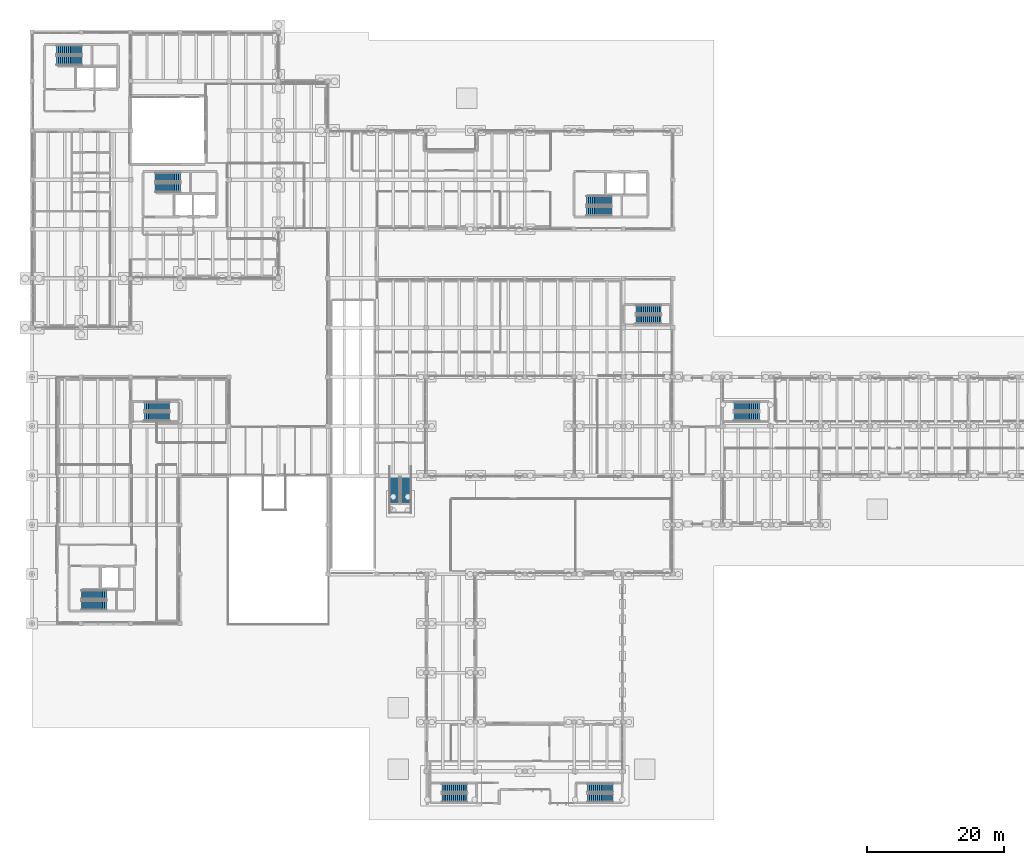
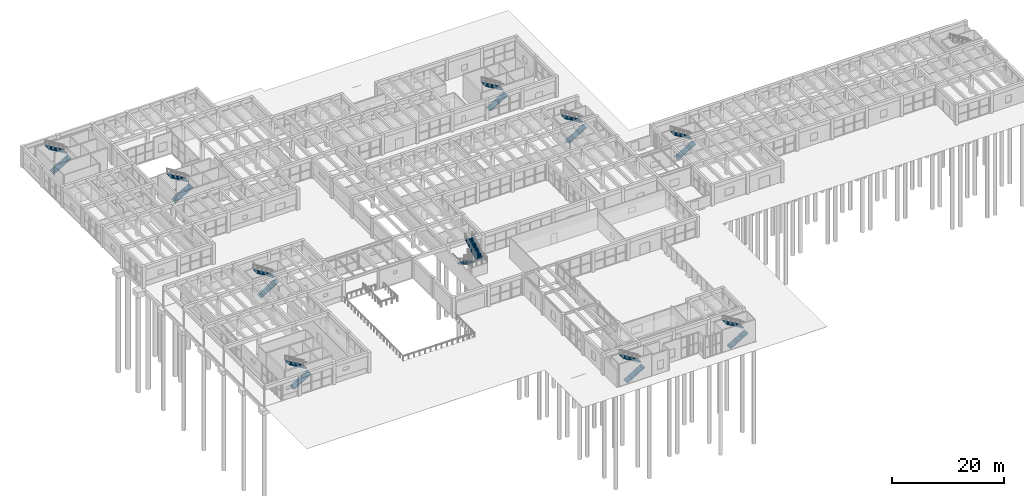
# One storey, part 128 of 155: 20 stair flights, 10 elements without a shape of their own.
"""IFC4 building model written with IfcOpenShell, lengths in metres."""

from ifc_helpers import new_model, si_unit, direction, frame, origin, place, context, subcontext, project, spatial, polyline, outline, extrude, material, type_object, element, aggregate, save


model = new_model("IFC4")

# Units and contexts
model_context = context("Model", 3, precision=1e-05, world=origin(), true_north=direction((0.0, 1.0)))
body_context = subcontext(model_context, "Body", "Model", "MODEL_VIEW")
ifc_project = project(units=[si_unit("LENGTHUNIT", "METRE"), si_unit("AREAUNIT", "SQUARE_METRE"), si_unit("VOLUMEUNIT", "CUBIC_METRE"), si_unit("PLANEANGLEUNIT", "RADIAN"), si_unit("MASSUNIT", "GRAM", prefix="KILO")], contexts=[model_context])

# Site, building, storey
site_placement = place(None, origin())
site = spatial("IfcSite", under=ifc_project, at=site_placement, CompositionType="ELEMENT")
building_placement = place(site_placement, origin())
building = spatial("IfcBuilding", under=site, at=building_placement, Name="Bramvelor Terrace Health Centre", CompositionType="ELEMENT")
storey_placement = place(building_placement, origin())
storey = spatial("IfcBuildingStorey", under=building, at=storey_placement, Name="L01", CompositionType="ELEMENT", Elevation=0.0)

# Stair, stair flights
ifc_material_1 = material(Name="Concrete C40/50", Category="concrete")
stair_type_1 = type_object("IfcStairType", Name="STR-CORE", PredefinedType="HALF_TURN_STAIR", material=ifc_material_1)
stair_1_placement = place(storey_placement, origin())
stair_1 = element("IfcStair", 1, at=stair_1_placement, inside=storey, type_object=stair_type_1, Name="L01 C1 Primary Fire Stair", PredefinedType="HALF_TURN_STAIR")
ifc_material_2 = material(Name="Concrete C40/50", Category="concrete")
stair_flight_type_1 = type_object("IfcStairFlightType", Name="STRF-CORE", PredefinedType="STRAIGHT", material=ifc_material_2)
stair_flight_1_placement = place(storey_placement, frame((3.60009765625, 111.02490234375, 0.0), z_axis=(0.0, 0.0, 1.0), x_axis=(1.0, 0.0, 0.0)))
stair_flight_1 = element("IfcStairFlight", 2, at=stair_flight_1_placement, type_object=stair_flight_type_1, Name="ST-1 flight 1", NumberOfRisers=14, NumberOfTreads=13, PredefinedType="STRAIGHT", RiserHeight=0.171428571, TreadLength=0.285, context=body_context, shape_type="SweptSolid", body=[
    extrude(outline(polyline([(0.0, 0.0), (0.0, 0.17138671875), (0.284912109375, 0.17138671875), (0.284912109375, 0.3427734375), (0.570068359375, 0.3427734375), (0.570068359375, 0.514404296875), (0.85498046875, 0.514404296875), (0.85498046875, 0.685791015625), (1.139892578125, 0.685791015625), (1.139892578125, 0.857177734375), (1.425048828125, 0.857177734375), (1.425048828125, 1.028564453125), (1.7099609375, 1.028564453125), (1.7099609375, 1.199951171875), (1.9951171875, 1.199951171875), (1.9951171875, 1.371337890625), (2.280029296875, 1.371337890625), (2.280029296875, 1.54296875), (2.56494140625, 1.54296875), (2.56494140625, 1.71435546875), (2.85009765625, 1.71435546875), (2.85009765625, 1.8857421875), (3.135009765625, 1.8857421875), (3.135009765625, 2.05712890625), (3.419921875, 2.05712890625), (3.419921875, 2.228515625), (3.705078125, 2.228515625), (3.705078125, 2.39990234375), (3.705078125, 2.0537109375), (0.290771484375, 0.0), (0.0, 0.0)])), frame((0.0, 0.675048828125, 0.0), z_axis=(0.0, -1.0, 0.0), x_axis=(1.0, 0.0, 0.0)), (0.0, 0.0, 1.0), 1.35009765625),
])
stair_flight_2_placement = place(storey_placement, frame((7.304931640625, 112.574951171875, 2.39990234375), z_axis=(0.0, 0.0, 1.0), x_axis=(-1.0, 0.0, 0.0)))
stair_flight_2 = element("IfcStairFlight", 3, at=stair_flight_2_placement, type_object=stair_flight_type_1, Name="ST-1 flight 2", NumberOfRisers=14, NumberOfTreads=13, PredefinedType="STRAIGHT", RiserHeight=0.171428571, TreadLength=0.285, context=body_context, shape_type="SweptSolid", body=[
    extrude(outline(polyline([(0.0, 0.0), (0.0, 0.17138671875), (0.284912109375, 0.17138671875), (0.284912109375, 0.3427734375), (0.570068359375, 0.3427734375), (0.570068359375, 0.514404296875), (0.85498046875, 0.514404296875), (0.85498046875, 0.685791015625), (1.139892578125, 0.685791015625), (1.139892578125, 0.857177734375), (1.425048828125, 0.857177734375), (1.425048828125, 1.028564453125), (1.7099609375, 1.028564453125), (1.7099609375, 1.199951171875), (1.9951171875, 1.199951171875), (1.9951171875, 1.371337890625), (2.280029296875, 1.371337890625), (2.280029296875, 1.54296875), (2.56494140625, 1.54296875), (2.56494140625, 1.71435546875), (2.85009765625, 1.71435546875), (2.85009765625, 1.8857421875), (3.135009765625, 1.8857421875), (3.135009765625, 2.05712890625), (3.419921875, 2.05712890625), (3.419921875, 2.228515625), (3.705078125, 2.228515625), (3.705078125, 2.39990234375), (3.705078125, 2.0537109375), (0.290771484375, 0.0), (0.0, 0.0)])), frame((0.0, 0.675048828125, 0.0), z_axis=(0.0, -1.0, 0.0), x_axis=(1.0, 0.0, 0.0)), (0.0, 0.0, 1.0), 1.35009765625),
])
aggregate(stair_1, [stair_flight_1, stair_flight_2])

stair_2_placement = place(storey_placement, origin())
stair_2 = element("IfcStair", 4, at=stair_2_placement, inside=storey, type_object=stair_type_1, Name="L01 C2 Primary Fire Stair", PredefinedType="HALF_TURN_STAIR")
stair_flight_3_placement = place(storey_placement, frame((18.0, 92.425048828125, 0.0), z_axis=(0.0, 0.0, 1.0), x_axis=(1.0, 0.0, 0.0)))
stair_flight_3 = element("IfcStairFlight", 5, at=stair_flight_3_placement, type_object=stair_flight_type_1, Name="ST-2 flight 1", NumberOfRisers=14, NumberOfTreads=13, PredefinedType="STRAIGHT", RiserHeight=0.171428571, TreadLength=0.285, context=body_context, shape_type="SweptSolid", body=[
    extrude(outline(polyline([(0.0, 0.0), (0.0, 0.17138671875), (0.284912109375, 0.17138671875), (0.284912109375, 0.3427734375), (0.570068359375, 0.3427734375), (0.570068359375, 0.514404296875), (0.85498046875, 0.514404296875), (0.85498046875, 0.685791015625), (1.139892578125, 0.685791015625), (1.139892578125, 0.857177734375), (1.425048828125, 0.857177734375), (1.425048828125, 1.028564453125), (1.7099609375, 1.028564453125), (1.7099609375, 1.199951171875), (1.9951171875, 1.199951171875), (1.9951171875, 1.371337890625), (2.280029296875, 1.371337890625), (2.280029296875, 1.54296875), (2.56494140625, 1.54296875), (2.56494140625, 1.71435546875), (2.85009765625, 1.71435546875), (2.85009765625, 1.8857421875), (3.135009765625, 1.8857421875), (3.135009765625, 2.05712890625), (3.419921875, 2.05712890625), (3.419921875, 2.228515625), (3.705078125, 2.228515625), (3.705078125, 2.39990234375), (3.705078125, 2.0537109375), (0.290771484375, 0.0), (0.0, 0.0)])), frame((0.0, 0.675048828125, 0.0), z_axis=(0.0, -1.0, 0.0), x_axis=(1.0, 0.0, 0.0)), (0.0, 0.0, 1.0), 1.35009765625),
])
stair_flight_4_placement = place(storey_placement, frame((21.705078125, 93.97509765625, 2.39990234375), z_axis=(0.0, 0.0, 1.0), x_axis=(-1.0, 0.0, 0.0)))
stair_flight_4 = element("IfcStairFlight", 6, at=stair_flight_4_placement, type_object=stair_flight_type_1, Name="ST-2 flight 2", NumberOfRisers=14, NumberOfTreads=13, PredefinedType="STRAIGHT", RiserHeight=0.171428571, TreadLength=0.285, context=body_context, shape_type="SweptSolid", body=[
    extrude(outline(polyline([(0.0, 0.0), (0.0, 0.17138671875), (0.284912109375, 0.17138671875), (0.284912109375, 0.3427734375), (0.570068359375, 0.3427734375), (0.570068359375, 0.514404296875), (0.85498046875, 0.514404296875), (0.85498046875, 0.685791015625), (1.139892578125, 0.685791015625), (1.139892578125, 0.857177734375), (1.425048828125, 0.857177734375), (1.425048828125, 1.028564453125), (1.7099609375, 1.028564453125), (1.7099609375, 1.199951171875), (1.9951171875, 1.199951171875), (1.9951171875, 1.371337890625), (2.280029296875, 1.371337890625), (2.280029296875, 1.54296875), (2.56494140625, 1.54296875), (2.56494140625, 1.71435546875), (2.85009765625, 1.71435546875), (2.85009765625, 1.8857421875), (3.135009765625, 1.8857421875), (3.135009765625, 2.05712890625), (3.419921875, 2.05712890625), (3.419921875, 2.228515625), (3.705078125, 2.228515625), (3.705078125, 2.39990234375), (3.705078125, 2.0537109375), (0.290771484375, 0.0), (0.0, 0.0)])), frame((0.0, 0.675048828125, 0.0), z_axis=(0.0, -1.0, 0.0), x_axis=(1.0, 0.0, 0.0)), (0.0, 0.0, 1.0), 1.35009765625),
])
aggregate(stair_2, [stair_flight_3, stair_flight_4])

stair_3_placement = place(storey_placement, origin())
stair_3 = element("IfcStair", 7, at=stair_3_placement, inside=storey, type_object=stair_type_1, Name="L01 C3 Primary Fire Stair", PredefinedType="HALF_TURN_STAIR")
stair_flight_5_placement = place(storey_placement, frame((7.199951171875, 31.425048828125, 0.0), z_axis=(0.0, 0.0, 1.0), x_axis=(1.0, 0.0, 0.0)))
stair_flight_5 = element("IfcStairFlight", 8, at=stair_flight_5_placement, type_object=stair_flight_type_1, Name="ST-3 flight 1", NumberOfRisers=14, NumberOfTreads=13, PredefinedType="STRAIGHT", RiserHeight=0.171428571, TreadLength=0.285, context=body_context, shape_type="SweptSolid", body=[
    extrude(outline(polyline([(0.0, 0.0), (0.0, 0.17138671875), (0.284912109375, 0.17138671875), (0.284912109375, 0.3427734375), (0.570068359375, 0.3427734375), (0.570068359375, 0.514404296875), (0.85498046875, 0.514404296875), (0.85498046875, 0.685791015625), (1.139892578125, 0.685791015625), (1.139892578125, 0.857177734375), (1.425048828125, 0.857177734375), (1.425048828125, 1.028564453125), (1.7099609375, 1.028564453125), (1.7099609375, 1.199951171875), (1.9951171875, 1.199951171875), (1.9951171875, 1.371337890625), (2.280029296875, 1.371337890625), (2.280029296875, 1.54296875), (2.56494140625, 1.54296875), (2.56494140625, 1.71435546875), (2.85009765625, 1.71435546875), (2.85009765625, 1.8857421875), (3.135009765625, 1.8857421875), (3.135009765625, 2.05712890625), (3.419921875, 2.05712890625), (3.419921875, 2.228515625), (3.705078125, 2.228515625), (3.705078125, 2.39990234375), (3.705078125, 2.0537109375), (0.290771484375, 0.0), (0.0, 0.0)])), frame((0.0, 0.675048828125, 0.0), z_axis=(0.0, -1.0, 0.0), x_axis=(1.0, 0.0, 0.0)), (0.0, 0.0, 1.0), 1.35009765625),
])
stair_flight_6_placement = place(storey_placement, frame((10.905029296875, 32.97509765625, 2.39990234375), z_axis=(0.0, 0.0, 1.0), x_axis=(-1.0, 0.0, 0.0)))
stair_flight_6 = element("IfcStairFlight", 9, at=stair_flight_6_placement, type_object=stair_flight_type_1, Name="ST-3 flight 2", NumberOfRisers=14, NumberOfTreads=13, PredefinedType="STRAIGHT", RiserHeight=0.171428571, TreadLength=0.285, context=body_context, shape_type="SweptSolid", body=[
    extrude(outline(polyline([(0.0, 0.0), (0.0, 0.17138671875), (0.284912109375, 0.17138671875), (0.284912109375, 0.3427734375), (0.570068359375, 0.3427734375), (0.570068359375, 0.514404296875), (0.85498046875, 0.514404296875), (0.85498046875, 0.685791015625), (1.139892578125, 0.685791015625), (1.139892578125, 0.857177734375), (1.425048828125, 0.857177734375), (1.425048828125, 1.028564453125), (1.7099609375, 1.028564453125), (1.7099609375, 1.199951171875), (1.9951171875, 1.199951171875), (1.9951171875, 1.371337890625), (2.280029296875, 1.371337890625), (2.280029296875, 1.54296875), (2.56494140625, 1.54296875), (2.56494140625, 1.71435546875), (2.85009765625, 1.71435546875), (2.85009765625, 1.8857421875), (3.135009765625, 1.8857421875), (3.135009765625, 2.05712890625), (3.419921875, 2.05712890625), (3.419921875, 2.228515625), (3.705078125, 2.228515625), (3.705078125, 2.39990234375), (3.705078125, 2.0537109375), (0.290771484375, 0.0), (0.0, 0.0)])), frame((0.0, 0.675048828125, 0.0), z_axis=(0.0, -1.0, 0.0), x_axis=(1.0, 0.0, 0.0)), (0.0, 0.0, 1.0), 1.35009765625),
])
aggregate(stair_3, [stair_flight_5, stair_flight_6])

stair_4_placement = place(storey_placement, origin())
stair_4 = element("IfcStair", 10, at=stair_4_placement, inside=storey, type_object=stair_type_1, Name="L01 C4 Primary Fire Stair", PredefinedType="HALF_TURN_STAIR")
stair_flight_7_placement = place(storey_placement, frame((81.0, 89.02490234375, 0.0), z_axis=(0.0, 0.0, 1.0), x_axis=(1.0, 0.0, 0.0)))
stair_flight_7 = element("IfcStairFlight", 11, at=stair_flight_7_placement, type_object=stair_flight_type_1, Name="ST-4 flight 1", NumberOfRisers=14, NumberOfTreads=13, PredefinedType="STRAIGHT", RiserHeight=0.171428571, TreadLength=0.285, context=body_context, shape_type="SweptSolid", body=[
    extrude(outline(polyline([(0.0, 0.0), (0.0, 0.17138671875), (0.284912109375, 0.17138671875), (0.284912109375, 0.3427734375), (0.570068359375, 0.3427734375), (0.570068359375, 0.514404296875), (0.85498046875, 0.514404296875), (0.85498046875, 0.685791015625), (1.139892578125, 0.685791015625), (1.139892578125, 0.857177734375), (1.425048828125, 0.857177734375), (1.425048828125, 1.028564453125), (1.7099609375, 1.028564453125), (1.7099609375, 1.199951171875), (1.9951171875, 1.199951171875), (1.9951171875, 1.371337890625), (2.280029296875, 1.371337890625), (2.280029296875, 1.54296875), (2.56494140625, 1.54296875), (2.56494140625, 1.71435546875), (2.85009765625, 1.71435546875), (2.85009765625, 1.8857421875), (3.135009765625, 1.8857421875), (3.135009765625, 2.05712890625), (3.419921875, 2.05712890625), (3.419921875, 2.228515625), (3.705078125, 2.228515625), (3.705078125, 2.39990234375), (3.705078125, 2.0537109375), (0.290771484375, 0.0), (0.0, 0.0)])), frame((0.0, 0.675048828125, 0.0), z_axis=(0.0, -1.0, 0.0), x_axis=(1.0, 0.0, 0.0)), (0.0, 0.0, 1.0), 1.35009765625),
])
stair_flight_8_placement = place(storey_placement, frame((84.705078125, 90.574951171875, 2.39990234375), z_axis=(0.0, 0.0, 1.0), x_axis=(-1.0, 0.0, 0.0)))
stair_flight_8 = element("IfcStairFlight", 12, at=stair_flight_8_placement, type_object=stair_flight_type_1, Name="ST-4 flight 2", NumberOfRisers=14, NumberOfTreads=13, PredefinedType="STRAIGHT", RiserHeight=0.171428571, TreadLength=0.285, context=body_context, shape_type="SweptSolid", body=[
    extrude(outline(polyline([(0.0, 0.0), (0.0, 0.17138671875), (0.284912109375, 0.17138671875), (0.284912109375, 0.3427734375), (0.570068359375, 0.3427734375), (0.570068359375, 0.514404296875), (0.85498046875, 0.514404296875), (0.85498046875, 0.685791015625), (1.139892578125, 0.685791015625), (1.139892578125, 0.857177734375), (1.425048828125, 0.857177734375), (1.425048828125, 1.028564453125), (1.7099609375, 1.028564453125), (1.7099609375, 1.199951171875), (1.9951171875, 1.199951171875), (1.9951171875, 1.371337890625), (2.280029296875, 1.371337890625), (2.280029296875, 1.54296875), (2.56494140625, 1.54296875), (2.56494140625, 1.71435546875), (2.85009765625, 1.71435546875), (2.85009765625, 1.8857421875), (3.135009765625, 1.8857421875), (3.135009765625, 2.05712890625), (3.419921875, 2.05712890625), (3.419921875, 2.228515625), (3.705078125, 2.228515625), (3.705078125, 2.39990234375), (3.705078125, 2.0537109375), (0.290771484375, 0.0), (0.0, 0.0)])), frame((0.0, 0.675048828125, 0.0), z_axis=(0.0, -1.0, 0.0), x_axis=(1.0, 0.0, 0.0)), (0.0, 0.0, 1.0), 1.35009765625),
])
aggregate(stair_4, [stair_flight_7, stair_flight_8])

ifc_material_3 = material(Name="Concrete C40/50", Category="concrete")
stair_type_2 = type_object("IfcStairType", Name="STR-FEAT", PredefinedType="HALF_TURN_STAIR", material=ifc_material_3)
stair_5_placement = place(storey_placement, origin())
stair_5 = element("IfcStair", 13, at=stair_5_placement, inside=storey, type_object=stair_type_2, Name="L01 Waiting Hall Feature Stair", PredefinedType="HALF_TURN_STAIR")
ifc_material_4 = material(Name="Concrete C40/50", Category="concrete")
stair_flight_type_2 = type_object("IfcStairFlightType", Name="STRF-FEAT", PredefinedType="STRAIGHT", material=ifc_material_4)
stair_flight_9_placement = place(storey_placement, frame((52.949951171875, 50.199951171875, 0.0), z_axis=(0.0, 0.0, 1.0), x_axis=(0.0, -1.0, 0.0)))
stair_flight_9 = element("IfcStairFlight", 14, at=stair_flight_9_placement, type_object=stair_flight_type_2, Name="ST-11 flight 1", NumberOfRisers=14, NumberOfTreads=13, PredefinedType="STRAIGHT", RiserHeight=0.171428571, TreadLength=0.29, context=body_context, shape_type="SweptSolid", body=[
    extrude(outline(polyline([(0.0, 0.0), (0.0, 0.17138671875), (0.2900390625, 0.17138671875), (0.2900390625, 0.3427734375), (0.580078125, 0.3427734375), (0.580078125, 0.514404296875), (0.8701171875, 0.514404296875), (0.8701171875, 0.685791015625), (1.159912109375, 0.685791015625), (1.159912109375, 0.857177734375), (1.449951171875, 0.857177734375), (1.449951171875, 1.028564453125), (1.739990234375, 1.028564453125), (1.739990234375, 1.199951171875), (2.030029296875, 1.199951171875), (2.030029296875, 1.371337890625), (2.320068359375, 1.371337890625), (2.320068359375, 1.54296875), (2.610107421875, 1.54296875), (2.610107421875, 1.71435546875), (2.89990234375, 1.71435546875), (2.89990234375, 1.8857421875), (3.18994140625, 1.8857421875), (3.18994140625, 2.05712890625), (3.47998046875, 2.05712890625), (3.47998046875, 2.228515625), (3.77001953125, 2.228515625), (3.77001953125, 2.39990234375), (3.77001953125, 2.054443359375), (0.294677734375, 0.0), (0.0, 0.0)])), frame((0.0, 0.75, 0.0), z_axis=(0.0, -1.0, 0.0), x_axis=(1.0, 0.0, 0.0)), (0.0, 0.0, 1.0), 1.5),
])
stair_flight_10_placement = place(storey_placement, frame((54.64990234375, 46.429931640625, 2.39990234375), z_axis=(0.0, 0.0, 1.0), x_axis=(0.0, 1.0, 0.0)))
stair_flight_10 = element("IfcStairFlight", 15, at=stair_flight_10_placement, type_object=stair_flight_type_2, Name="ST-11 flight 2", NumberOfRisers=14, NumberOfTreads=13, PredefinedType="STRAIGHT", RiserHeight=0.171428571, TreadLength=0.29, context=body_context, shape_type="SweptSolid", body=[
    extrude(outline(polyline([(0.0, 0.0), (0.0, 0.17138671875), (0.2900390625, 0.17138671875), (0.2900390625, 0.3427734375), (0.580078125, 0.3427734375), (0.580078125, 0.514404296875), (0.8701171875, 0.514404296875), (0.8701171875, 0.685791015625), (1.159912109375, 0.685791015625), (1.159912109375, 0.857177734375), (1.449951171875, 0.857177734375), (1.449951171875, 1.028564453125), (1.739990234375, 1.028564453125), (1.739990234375, 1.199951171875), (2.030029296875, 1.199951171875), (2.030029296875, 1.371337890625), (2.320068359375, 1.371337890625), (2.320068359375, 1.54296875), (2.610107421875, 1.54296875), (2.610107421875, 1.71435546875), (2.89990234375, 1.71435546875), (2.89990234375, 1.8857421875), (3.18994140625, 1.8857421875), (3.18994140625, 2.05712890625), (3.47998046875, 2.05712890625), (3.47998046875, 2.228515625), (3.77001953125, 2.228515625), (3.77001953125, 2.39990234375), (3.77001953125, 2.054443359375), (0.294677734375, 0.0), (0.0, 0.0)])), frame((0.0, 0.75, 0.0), z_axis=(0.0, -1.0, 0.0), x_axis=(1.0, 0.0, 0.0)), (0.0, 0.0, 1.0), 1.5),
])
aggregate(stair_5, [stair_flight_9, stair_flight_10])

ifc_material_5 = material(Name="Concrete C40/50", Category="concrete")
stair_type_3 = type_object("IfcStairType", Name="STR-SEC", PredefinedType="HALF_TURN_STAIR", material=ifc_material_5)
stair_6_placement = place(storey_placement, origin())
stair_6 = element("IfcStair", 16, at=stair_6_placement, inside=storey, type_object=stair_type_3, Name="L01 West Day Surgery Exit Stair", PredefinedType="HALF_TURN_STAIR")
ifc_material_6 = material(Name="Concrete C40/50", Category="concrete")
stair_flight_type_3 = type_object("IfcStairFlightType", Name="STRF-SEC", PredefinedType="STRAIGHT", material=ifc_material_6)
stair_flight_11_placement = place(storey_placement, frame((102.570068359375, 59.02490234375, 0.0), z_axis=(0.0, 0.0, 1.0), x_axis=(1.0, 0.0, 0.0)))
stair_flight_11 = element("IfcStairFlight", 17, at=stair_flight_11_placement, type_object=stair_flight_type_3, Name="ST-5 flight 1", NumberOfRisers=14, NumberOfTreads=13, PredefinedType="STRAIGHT", RiserHeight=0.171428571, TreadLength=0.285, context=body_context, shape_type="SweptSolid", body=[
    extrude(outline(polyline([(0.0, 0.0), (0.0, 0.17138671875), (0.284912109375, 0.17138671875), (0.284912109375, 0.3427734375), (0.570068359375, 0.3427734375), (0.570068359375, 0.514404296875), (0.85498046875, 0.514404296875), (0.85498046875, 0.685791015625), (1.139892578125, 0.685791015625), (1.139892578125, 0.857177734375), (1.425048828125, 0.857177734375), (1.425048828125, 1.028564453125), (1.7099609375, 1.028564453125), (1.7099609375, 1.199951171875), (1.9951171875, 1.199951171875), (1.9951171875, 1.371337890625), (2.280029296875, 1.371337890625), (2.280029296875, 1.54296875), (2.56494140625, 1.54296875), (2.56494140625, 1.71435546875), (2.85009765625, 1.71435546875), (2.85009765625, 1.8857421875), (3.135009765625, 1.8857421875), (3.135009765625, 2.05712890625), (3.419921875, 2.05712890625), (3.419921875, 2.228515625), (3.705078125, 2.228515625), (3.705078125, 2.39990234375), (3.705078125, 2.0537109375), (0.290771484375, 0.0), (0.0, 0.0)])), frame((0.0, 0.625, 0.0), z_axis=(0.0, -1.0, 0.0), x_axis=(1.0, 0.0, 0.0)), (0.0, 0.0, 1.0), 1.25),
])
stair_flight_12_placement = place(storey_placement, frame((106.27490234375, 60.47509765625, 2.39990234375), z_axis=(0.0, 0.0, 1.0), x_axis=(-1.0, 0.0, 0.0)))
stair_flight_12 = element("IfcStairFlight", 18, at=stair_flight_12_placement, type_object=stair_flight_type_3, Name="ST-5 flight 2", NumberOfRisers=14, NumberOfTreads=13, PredefinedType="STRAIGHT", RiserHeight=0.171428571, TreadLength=0.285, context=body_context, shape_type="SweptSolid", body=[
    extrude(outline(polyline([(0.0, 0.0), (0.0, 0.17138671875), (0.284912109375, 0.17138671875), (0.284912109375, 0.3427734375), (0.570068359375, 0.3427734375), (0.570068359375, 0.514404296875), (0.85498046875, 0.514404296875), (0.85498046875, 0.685791015625), (1.139892578125, 0.685791015625), (1.139892578125, 0.857177734375), (1.425048828125, 0.857177734375), (1.425048828125, 1.028564453125), (1.7099609375, 1.028564453125), (1.7099609375, 1.199951171875), (1.9951171875, 1.199951171875), (1.9951171875, 1.371337890625), (2.280029296875, 1.371337890625), (2.280029296875, 1.54296875), (2.56494140625, 1.54296875), (2.56494140625, 1.71435546875), (2.85009765625, 1.71435546875), (2.85009765625, 1.8857421875), (3.135009765625, 1.8857421875), (3.135009765625, 2.05712890625), (3.419921875, 2.05712890625), (3.419921875, 2.228515625), (3.705078125, 2.228515625), (3.705078125, 2.39990234375), (3.705078125, 2.0537109375), (0.290771484375, 0.0), (0.0, 0.0)])), frame((0.0, 0.625, 0.0), z_axis=(0.0, -1.0, 0.0), x_axis=(1.0, 0.0, 0.0)), (0.0, 0.0, 1.0), 1.25),
])
aggregate(stair_6, [stair_flight_11, stair_flight_12])

stair_7_placement = place(storey_placement, origin())
stair_7 = element("IfcStair", 19, at=stair_7_placement, inside=storey, type_object=stair_type_3, Name="L01 North Pharmacy & Mental Health Exit Stair", PredefinedType="HALF_TURN_STAIR")
stair_flight_13_placement = place(storey_placement, frame((16.419921875, 59.02490234375, 0.0), z_axis=(0.0, 0.0, 1.0), x_axis=(1.0, 0.0, 0.0)))
stair_flight_13 = element("IfcStairFlight", 20, at=stair_flight_13_placement, type_object=stair_flight_type_3, Name="ST-6 flight 1", NumberOfRisers=14, NumberOfTreads=13, PredefinedType="STRAIGHT", RiserHeight=0.171428571, TreadLength=0.285, context=body_context, shape_type="SweptSolid", body=[
    extrude(outline(polyline([(0.0, 0.0), (0.0, 0.17138671875), (0.284912109375, 0.17138671875), (0.284912109375, 0.3427734375), (0.570068359375, 0.3427734375), (0.570068359375, 0.514404296875), (0.85498046875, 0.514404296875), (0.85498046875, 0.685791015625), (1.139892578125, 0.685791015625), (1.139892578125, 0.857177734375), (1.425048828125, 0.857177734375), (1.425048828125, 1.028564453125), (1.7099609375, 1.028564453125), (1.7099609375, 1.199951171875), (1.9951171875, 1.199951171875), (1.9951171875, 1.371337890625), (2.280029296875, 1.371337890625), (2.280029296875, 1.54296875), (2.56494140625, 1.54296875), (2.56494140625, 1.71435546875), (2.85009765625, 1.71435546875), (2.85009765625, 1.8857421875), (3.135009765625, 1.8857421875), (3.135009765625, 2.05712890625), (3.419921875, 2.05712890625), (3.419921875, 2.228515625), (3.705078125, 2.228515625), (3.705078125, 2.39990234375), (3.705078125, 2.0537109375), (0.290771484375, 0.0), (0.0, 0.0)])), frame((0.0, 0.625, 0.0), z_axis=(0.0, -1.0, 0.0), x_axis=(1.0, 0.0, 0.0)), (0.0, 0.0, 1.0), 1.25),
])
stair_flight_14_placement = place(storey_placement, frame((20.125, 60.47509765625, 2.39990234375), z_axis=(0.0, 0.0, 1.0), x_axis=(-1.0, 0.0, 0.0)))
stair_flight_14 = element("IfcStairFlight", 21, at=stair_flight_14_placement, type_object=stair_flight_type_3, Name="ST-6 flight 2", NumberOfRisers=14, NumberOfTreads=13, PredefinedType="STRAIGHT", RiserHeight=0.171428571, TreadLength=0.285, context=body_context, shape_type="SweptSolid", body=[
    extrude(outline(polyline([(0.0, 0.0), (0.0, 0.17138671875), (0.284912109375, 0.17138671875), (0.284912109375, 0.3427734375), (0.570068359375, 0.3427734375), (0.570068359375, 0.514404296875), (0.85498046875, 0.514404296875), (0.85498046875, 0.685791015625), (1.139892578125, 0.685791015625), (1.139892578125, 0.857177734375), (1.425048828125, 0.857177734375), (1.425048828125, 1.028564453125), (1.7099609375, 1.028564453125), (1.7099609375, 1.199951171875), (1.9951171875, 1.199951171875), (1.9951171875, 1.371337890625), (2.280029296875, 1.371337890625), (2.280029296875, 1.54296875), (2.56494140625, 1.54296875), (2.56494140625, 1.71435546875), (2.85009765625, 1.71435546875), (2.85009765625, 1.8857421875), (3.135009765625, 1.8857421875), (3.135009765625, 2.05712890625), (3.419921875, 2.05712890625), (3.419921875, 2.228515625), (3.705078125, 2.228515625), (3.705078125, 2.39990234375), (3.705078125, 2.0537109375), (0.290771484375, 0.0), (0.0, 0.0)])), frame((0.0, 0.625, 0.0), z_axis=(0.0, -1.0, 0.0), x_axis=(1.0, 0.0, 0.0)), (0.0, 0.0, 1.0), 1.25),
])
aggregate(stair_7, [stair_flight_13, stair_flight_14])

stair_8_placement = place(storey_placement, origin())
stair_8 = element("IfcStair", 22, at=stair_8_placement, inside=storey, type_object=stair_type_3, Name="L01 East Waiting Hall Exit Stair", PredefinedType="HALF_TURN_STAIR")
stair_flight_15_placement = place(storey_placement, frame((88.219970703125, 73.22509765625, 0.0), z_axis=(0.0, 0.0, 1.0), x_axis=(1.0, 0.0, 0.0)))
stair_flight_15 = element("IfcStairFlight", 23, at=stair_flight_15_placement, type_object=stair_flight_type_3, Name="ST-8 flight 1", NumberOfRisers=14, NumberOfTreads=13, PredefinedType="STRAIGHT", RiserHeight=0.171428571, TreadLength=0.285, context=body_context, shape_type="SweptSolid", body=[
    extrude(outline(polyline([(0.0, 0.0), (0.0, 0.17138671875), (0.284912109375, 0.17138671875), (0.284912109375, 0.3427734375), (0.570068359375, 0.3427734375), (0.570068359375, 0.514404296875), (0.85498046875, 0.514404296875), (0.85498046875, 0.685791015625), (1.139892578125, 0.685791015625), (1.139892578125, 0.857177734375), (1.425048828125, 0.857177734375), (1.425048828125, 1.028564453125), (1.7099609375, 1.028564453125), (1.7099609375, 1.199951171875), (1.9951171875, 1.199951171875), (1.9951171875, 1.371337890625), (2.280029296875, 1.371337890625), (2.280029296875, 1.54296875), (2.56494140625, 1.54296875), (2.56494140625, 1.71435546875), (2.85009765625, 1.71435546875), (2.85009765625, 1.8857421875), (3.135009765625, 1.8857421875), (3.135009765625, 2.05712890625), (3.419921875, 2.05712890625), (3.419921875, 2.228515625), (3.705078125, 2.228515625), (3.705078125, 2.39990234375), (3.705078125, 2.0537109375), (0.290771484375, 0.0), (0.0, 0.0)])), frame((0.0, 0.625, 0.0), z_axis=(0.0, -1.0, 0.0), x_axis=(1.0, 0.0, 0.0)), (0.0, 0.0, 1.0), 1.25),
])
stair_flight_16_placement = place(storey_placement, frame((91.925048828125, 74.675048828125, 2.39990234375), z_axis=(0.0, 0.0, 1.0), x_axis=(-1.0, 0.0, 0.0)))
stair_flight_16 = element("IfcStairFlight", 24, at=stair_flight_16_placement, type_object=stair_flight_type_3, Name="ST-8 flight 2", NumberOfRisers=14, NumberOfTreads=13, PredefinedType="STRAIGHT", RiserHeight=0.171428571, TreadLength=0.285, context=body_context, shape_type="SweptSolid", body=[
    extrude(outline(polyline([(0.0, 0.0), (0.0, 0.17138671875), (0.284912109375, 0.17138671875), (0.284912109375, 0.3427734375), (0.570068359375, 0.3427734375), (0.570068359375, 0.514404296875), (0.85498046875, 0.514404296875), (0.85498046875, 0.685791015625), (1.139892578125, 0.685791015625), (1.139892578125, 0.857177734375), (1.425048828125, 0.857177734375), (1.425048828125, 1.028564453125), (1.7099609375, 1.028564453125), (1.7099609375, 1.199951171875), (1.9951171875, 1.199951171875), (1.9951171875, 1.371337890625), (2.280029296875, 1.371337890625), (2.280029296875, 1.54296875), (2.56494140625, 1.54296875), (2.56494140625, 1.71435546875), (2.85009765625, 1.71435546875), (2.85009765625, 1.8857421875), (3.135009765625, 1.8857421875), (3.135009765625, 2.05712890625), (3.419921875, 2.05712890625), (3.419921875, 2.228515625), (3.705078125, 2.228515625), (3.705078125, 2.39990234375), (3.705078125, 2.0537109375), (0.290771484375, 0.0), (0.0, 0.0)])), frame((0.0, 0.625, 0.0), z_axis=(0.0, -1.0, 0.0), x_axis=(1.0, 0.0, 0.0)), (0.0, 0.0, 1.0), 1.25),
])
aggregate(stair_8, [stair_flight_15, stair_flight_16])

stair_9_placement = place(storey_placement, origin())
stair_9 = element("IfcStair", 25, at=stair_9_placement, inside=storey, type_object=stair_type_3, Name="L01 West Rehabilitation Exit Stair", PredefinedType="HALF_TURN_STAIR")
stair_flight_17_placement = place(storey_placement, frame((59.8701171875, 3.324951171875, 0.0), z_axis=(0.0, 0.0, 1.0), x_axis=(1.0, 0.0, 0.0)))
stair_flight_17 = element("IfcStairFlight", 26, at=stair_flight_17_placement, type_object=stair_flight_type_3, Name="ST-9 flight 1", NumberOfRisers=14, NumberOfTreads=13, PredefinedType="STRAIGHT", RiserHeight=0.171428571, TreadLength=0.285, context=body_context, shape_type="SweptSolid", body=[
    extrude(outline(polyline([(0.0, 0.0), (0.0, 0.17138671875), (0.284912109375, 0.17138671875), (0.284912109375, 0.3427734375), (0.570068359375, 0.3427734375), (0.570068359375, 0.514404296875), (0.85498046875, 0.514404296875), (0.85498046875, 0.685791015625), (1.139892578125, 0.685791015625), (1.139892578125, 0.857177734375), (1.425048828125, 0.857177734375), (1.425048828125, 1.028564453125), (1.7099609375, 1.028564453125), (1.7099609375, 1.199951171875), (1.9951171875, 1.199951171875), (1.9951171875, 1.371337890625), (2.280029296875, 1.371337890625), (2.280029296875, 1.54296875), (2.56494140625, 1.54296875), (2.56494140625, 1.71435546875), (2.85009765625, 1.71435546875), (2.85009765625, 1.8857421875), (3.135009765625, 1.8857421875), (3.135009765625, 2.05712890625), (3.419921875, 2.05712890625), (3.419921875, 2.228515625), (3.705078125, 2.228515625), (3.705078125, 2.39990234375), (3.705078125, 2.0537109375), (0.290771484375, 0.0), (0.0, 0.0)])), frame((0.0, 0.625, 0.0), z_axis=(0.0, -1.0, 0.0), x_axis=(1.0, 0.0, 0.0)), (0.0, 0.0, 1.0), 1.25),
])
stair_flight_18_placement = place(storey_placement, frame((63.574951171875, 4.77490234375, 2.39990234375), z_axis=(0.0, 0.0, 1.0), x_axis=(-1.0, 0.0, 0.0)))
stair_flight_18 = element("IfcStairFlight", 27, at=stair_flight_18_placement, type_object=stair_flight_type_3, Name="ST-9 flight 2", NumberOfRisers=14, NumberOfTreads=13, PredefinedType="STRAIGHT", RiserHeight=0.171428571, TreadLength=0.285, context=body_context, shape_type="SweptSolid", body=[
    extrude(outline(polyline([(0.0, 0.0), (0.0, 0.17138671875), (0.284912109375, 0.17138671875), (0.284912109375, 0.3427734375), (0.570068359375, 0.3427734375), (0.570068359375, 0.514404296875), (0.85498046875, 0.514404296875), (0.85498046875, 0.685791015625), (1.139892578125, 0.685791015625), (1.139892578125, 0.857177734375), (1.425048828125, 0.857177734375), (1.425048828125, 1.028564453125), (1.7099609375, 1.028564453125), (1.7099609375, 1.199951171875), (1.9951171875, 1.199951171875), (1.9951171875, 1.371337890625), (2.280029296875, 1.371337890625), (2.280029296875, 1.54296875), (2.56494140625, 1.54296875), (2.56494140625, 1.71435546875), (2.85009765625, 1.71435546875), (2.85009765625, 1.8857421875), (3.135009765625, 1.8857421875), (3.135009765625, 2.05712890625), (3.419921875, 2.05712890625), (3.419921875, 2.228515625), (3.705078125, 2.228515625), (3.705078125, 2.39990234375), (3.705078125, 2.0537109375), (0.290771484375, 0.0), (0.0, 0.0)])), frame((0.0, 0.625, 0.0), z_axis=(0.0, -1.0, 0.0), x_axis=(1.0, 0.0, 0.0)), (0.0, 0.0, 1.0), 1.25),
])
aggregate(stair_9, [stair_flight_17, stair_flight_18])

stair_10_placement = place(storey_placement, origin())
stair_10 = element("IfcStair", 28, at=stair_10_placement, inside=storey, type_object=stair_type_3, Name="L01 East Rehabilitation Exit Stair", PredefinedType="HALF_TURN_STAIR")
stair_flight_19_placement = place(storey_placement, frame((81.169921875, 3.324951171875, 0.0), z_axis=(0.0, 0.0, 1.0), x_axis=(1.0, 0.0, 0.0)))
stair_flight_19 = element("IfcStairFlight", 29, at=stair_flight_19_placement, type_object=stair_flight_type_3, Name="ST-10 flight 1", NumberOfRisers=14, NumberOfTreads=13, PredefinedType="STRAIGHT", RiserHeight=0.171428571, TreadLength=0.285, context=body_context, shape_type="SweptSolid", body=[
    extrude(outline(polyline([(0.0, 0.0), (0.0, 0.17138671875), (0.284912109375, 0.17138671875), (0.284912109375, 0.3427734375), (0.570068359375, 0.3427734375), (0.570068359375, 0.514404296875), (0.85498046875, 0.514404296875), (0.85498046875, 0.685791015625), (1.139892578125, 0.685791015625), (1.139892578125, 0.857177734375), (1.425048828125, 0.857177734375), (1.425048828125, 1.028564453125), (1.7099609375, 1.028564453125), (1.7099609375, 1.199951171875), (1.9951171875, 1.199951171875), (1.9951171875, 1.371337890625), (2.280029296875, 1.371337890625), (2.280029296875, 1.54296875), (2.56494140625, 1.54296875), (2.56494140625, 1.71435546875), (2.85009765625, 1.71435546875), (2.85009765625, 1.8857421875), (3.135009765625, 1.8857421875), (3.135009765625, 2.05712890625), (3.419921875, 2.05712890625), (3.419921875, 2.228515625), (3.705078125, 2.228515625), (3.705078125, 2.39990234375), (3.705078125, 2.0537109375), (0.290771484375, 0.0), (0.0, 0.0)])), frame((0.0, 0.625, 0.0), z_axis=(0.0, -1.0, 0.0), x_axis=(1.0, 0.0, 0.0)), (0.0, 0.0, 1.0), 1.25),
])
stair_flight_20_placement = place(storey_placement, frame((84.875, 4.77490234375, 2.39990234375), z_axis=(0.0, 0.0, 1.0), x_axis=(-1.0, 0.0, 0.0)))
stair_flight_20 = element("IfcStairFlight", 30, at=stair_flight_20_placement, type_object=stair_flight_type_3, Name="ST-10 flight 2", NumberOfRisers=14, NumberOfTreads=13, PredefinedType="STRAIGHT", RiserHeight=0.171428571, TreadLength=0.285, context=body_context, shape_type="SweptSolid", body=[
    extrude(outline(polyline([(0.0, 0.0), (0.0, 0.17138671875), (0.284912109375, 0.17138671875), (0.284912109375, 0.3427734375), (0.570068359375, 0.3427734375), (0.570068359375, 0.514404296875), (0.85498046875, 0.514404296875), (0.85498046875, 0.685791015625), (1.139892578125, 0.685791015625), (1.139892578125, 0.857177734375), (1.425048828125, 0.857177734375), (1.425048828125, 1.028564453125), (1.7099609375, 1.028564453125), (1.7099609375, 1.199951171875), (1.9951171875, 1.199951171875), (1.9951171875, 1.371337890625), (2.280029296875, 1.371337890625), (2.280029296875, 1.54296875), (2.56494140625, 1.54296875), (2.56494140625, 1.71435546875), (2.85009765625, 1.71435546875), (2.85009765625, 1.8857421875), (3.135009765625, 1.8857421875), (3.135009765625, 2.05712890625), (3.419921875, 2.05712890625), (3.419921875, 2.228515625), (3.705078125, 2.228515625), (3.705078125, 2.39990234375), (3.705078125, 2.0537109375), (0.290771484375, 0.0), (0.0, 0.0)])), frame((0.0, 0.625, 0.0), z_axis=(0.0, -1.0, 0.0), x_axis=(1.0, 0.0, 0.0)), (0.0, 0.0, 1.0), 1.25),
])
aggregate(stair_10, [stair_flight_19, stair_flight_20])

save(model, "model.ifc")
